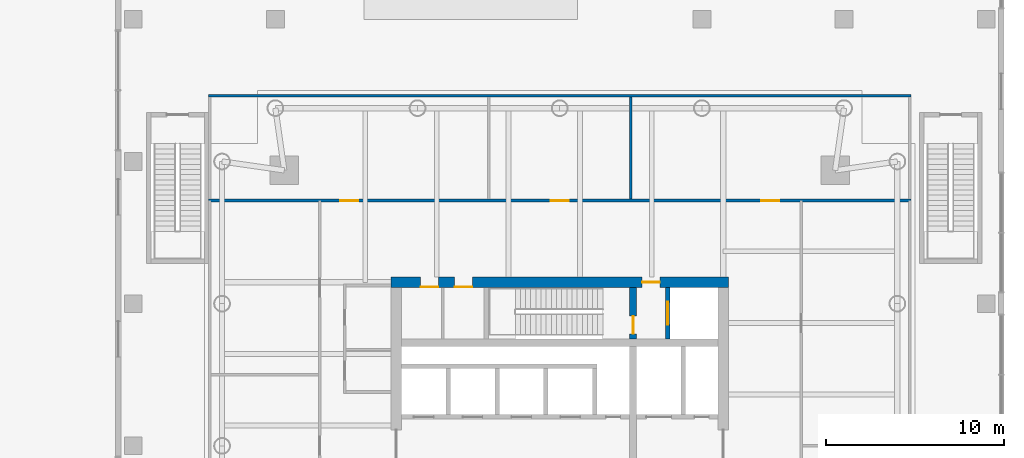
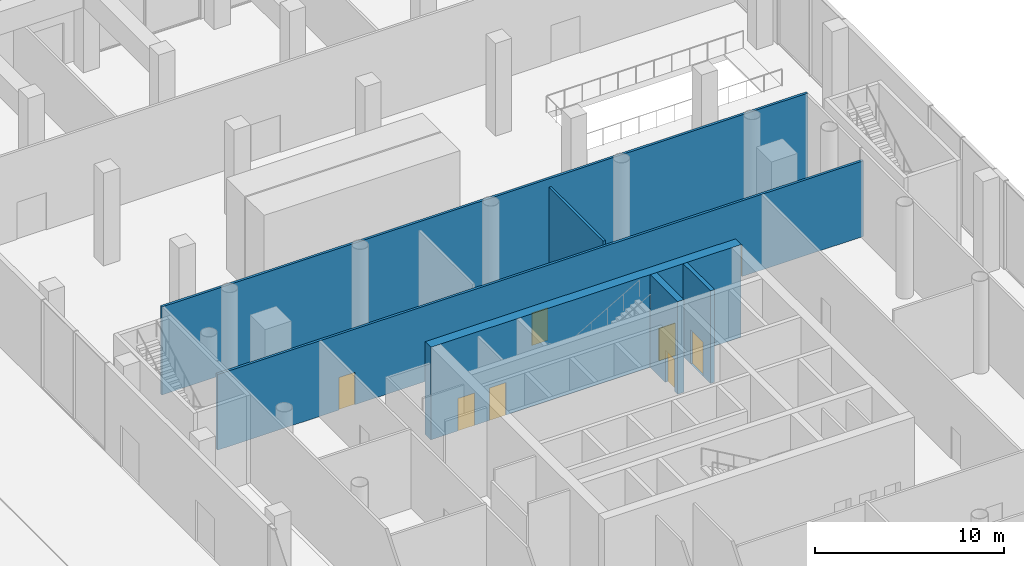
# One storey, part 31 of 39: 8 doors, 6 walls, 8 openings.
"""IFC4 building model written with IfcOpenShell, lengths in metres."""

from ifc_helpers import new_model, si_unit, direction, frame, frame_2d, origin, place, context, subcontext, project, spatial, rectangle, extrude, material, layer, layer_set, type_object, element, fill, save


model = new_model("IFC4")

# Units and contexts
model_context = context("Model", 3, precision=1e-05, world=origin(), true_north=direction((0.0, 1.0)))
body_context = subcontext(model_context, "Body", "Model", "MODEL_VIEW")
ifc_project = project(units=[si_unit("LENGTHUNIT", "METRE"), si_unit("AREAUNIT", "SQUARE_METRE"), si_unit("VOLUMEUNIT", "CUBIC_METRE"), si_unit("PLANEANGLEUNIT", "RADIAN"), si_unit("MASSUNIT", "GRAM", prefix="KILO")], contexts=[model_context])

# Site, building, storey
site_placement = place(None, origin())
site = spatial("IfcSite", under=ifc_project, at=site_placement, CompositionType="ELEMENT")
building_placement = place(site_placement, origin())
building = spatial("IfcBuilding", under=site, at=building_placement, Name="Ostroluk Exchange", CompositionType="ELEMENT")
storey_placement = place(building_placement, origin())
storey = spatial("IfcBuildingStorey", under=building, at=storey_placement, Name="L00", CompositionType="ELEMENT", Elevation=0.0)

# Wall, opening, door
ifc_material_1 = material(Name="Concrete C50/60", Category="concrete")
ifc_layer_1 = layer(ifc_material_1, 0.39990234375)
ifc_layer_set_1 = layer_set([ifc_layer_1], Name="Core cross wall 400 C50/60")
wall_type_1 = type_object("IfcWallType", Name="Core cross wall 400 C50/60", PredefinedType="SHEAR", material=ifc_layer_set_1)
wall_1_placement = place(storey_placement, frame((121.1298828125, 52.0, 0.0), z_axis=(0.0, 0.0, 1.0), x_axis=(0.0, 1.0, 0.0)))
wall_1 = element("IfcWall", 1, at=wall_1_placement, inside=storey, type_object=wall_type_1, Name="T2 core wall YE3", PredefinedType="SHEAR", context=body_context, shape_type="SweptSolid", body=[
    extrude(rectangle(XDim=2.89990234375, YDim=0.39990234375, at=frame_2d((1.449951171875, 0.0))), origin(), (0.0, 0.0, 1.0), 6.0),
])
opening_1_placement = place(wall_1_placement, frame((0.300048828125, 0.0, 0.0)))
opening_1 = element("IfcOpeningElement", 2, at=opening_1_placement, cuts=wall_1, Name="Opening FD60", PredefinedType="OPENING", context=body_context, shape_type="SweptSolid", body=[
    extrude(rectangle(XDim=1.0, YDim=2.10009765625, at=frame_2d((0.5, 1.050048828125))), frame((0.0, 0.2099609375, 0.0), z_axis=(0.0, -1.0, 0.0), x_axis=(1.0, 0.0, 0.0)), (0.0, 0.0, 1.0), 0.419921875),
])
ifc_material_2 = material(Name="Steel", Category="steel")
door_type_1 = type_object("IfcDoorType", Name="Fire door EI 60 1000 x 2100", OperationType="SINGLE_SWING_LEFT", PredefinedType="DOOR", material=ifc_material_2)
door_1_placement = place(opening_1_placement, origin())
door_1 = element("IfcDoor", 3, at=door_1_placement, inside=storey, type_object=door_type_1, Name="Stair T2-S2 door", OperationType="SINGLE_SWING_LEFT", OverallHeight=2.10009765625, OverallWidth=1.0, PredefinedType="DOOR", context=body_context, shape_type="SweptSolid", body=[
    extrude(rectangle(XDim=1.0, YDim=2.10009765625, at=frame_2d((0.5, 1.050048828125))), frame((0.0, 0.02490234375, 0.0), z_axis=(0.0, -1.0, 0.0), x_axis=(1.0, 0.0, 0.0)), (0.0, 0.0, 1.0), 0.050048828125),
])
fill(opening_1, door_1)

ifc_material_3 = material(Name="Concrete C40/50", Category="concrete")
ifc_layer_2 = layer(ifc_material_3, 0.25)
ifc_layer_set_2 = layer_set([ifc_layer_2], Name="Core shaft wall 250")
wall_type_2 = type_object("IfcWallType", Name="Core shaft wall 250", PredefinedType="SHEAR", material=ifc_layer_set_2)
wall_2_placement = place(storey_placement, frame((123.074951171875, 52.0, 0.0), z_axis=(0.0, 0.0, 1.0), x_axis=(0.0, 1.0, 0.0)))
wall_2 = element("IfcWall", 4, at=wall_2_placement, inside=storey, type_object=wall_type_2, Name="Firefighting lift shaft wall", PredefinedType="SHEAR", context=body_context, shape_type="SweptSolid", body=[
    extrude(rectangle(XDim=2.89990234375, YDim=0.25, at=frame_2d((1.449951171875, 0.0))), origin(), (0.0, 0.0, 1.0), 6.0),
])
opening_2_placement = place(wall_2_placement, frame((0.800048828125, 0.0, 0.0)))
opening_2 = element("IfcOpeningElement", 5, at=opening_2_placement, cuts=wall_2, Name="Opening LD2", PredefinedType="OPENING", context=body_context, shape_type="SweptSolid", body=[
    extrude(rectangle(XDim=1.300048828125, YDim=2.199951171875, at=frame_2d((0.64990234375, 1.10009765625))), frame((0.0, 0.135009765625, 0.0), z_axis=(0.0, -1.0, 0.0), x_axis=(1.0, 0.0, 0.0)), (0.0, 0.0, 1.0), 0.27001953125),
])
ifc_material_4 = material(Name="Stainless steel", Category="steel")
door_type_2 = type_object("IfcDoorType", Name="Lift landing door E 60 1300 x 2200", OperationType="DOUBLE_DOOR_SLIDING", PredefinedType="DOOR", material=ifc_material_4)
door_2_placement = place(opening_2_placement, origin())
door_2 = element("IfcDoor", 6, at=door_2_placement, inside=storey, type_object=door_type_2, Name="Lift HF2 landing door", OperationType="DOUBLE_DOOR_SLIDING", OverallHeight=2.199951171875, OverallWidth=1.300048828125, PredefinedType="DOOR", context=body_context, shape_type="SweptSolid", body=[
    extrude(rectangle(XDim=1.300048828125, YDim=2.199951171875, at=frame_2d((0.64990234375, 1.10009765625))), frame((0.0, 0.02490234375, 0.0), z_axis=(0.0, -1.0, 0.0), x_axis=(1.0, 0.0, 0.0)), (0.0, 0.0, 1.0), 0.050048828125),
])
fill(opening_2, door_2)

# Wall, openings, doors
ifc_material_5 = material(Name="Concrete C50/60", Category="concrete")
ifc_layer_3 = layer(ifc_material_5, 0.60009765625)
ifc_layer_set_3 = layer_set([ifc_layer_3], Name="Core wall 600 C50/60")
wall_type_3 = type_object("IfcWallType", Name="Core wall 600 C50/60", PredefinedType="SHEAR", material=ifc_layer_set_3)
wall_3_placement = place(storey_placement, frame((107.5, 55.199951171875, 0.0), z_axis=(0.0, 0.0, 1.0), x_axis=(1.0, 0.0, 0.0)))
wall_3 = element("IfcWall", 7, at=wall_3_placement, inside=storey, type_object=wall_type_3, Name="T2 core wall N", PredefinedType="SHEAR", context=body_context, shape_type="SweptSolid", body=[
    extrude(rectangle(XDim=19.0, YDim=0.60009765625, at=frame_2d((9.5, 0.0))), origin(), (0.0, 0.0, 1.0), 6.0),
])
opening_3_placement = place(wall_3_placement, frame((14.139892578125, 0.0, 0.0)))
opening_3 = element("IfcOpeningElement", 8, at=opening_3_placement, cuts=wall_3, Name="Opening FD60", PredefinedType="OPENING", context=body_context, shape_type="SweptSolid", body=[
    extrude(rectangle(XDim=1.0, YDim=2.10009765625, at=frame_2d((0.5, 1.050048828125))), frame((0.0, 0.31005859375, 0.0), z_axis=(0.0, -1.0, 0.0), x_axis=(1.0, 0.0, 0.0)), (0.0, 0.0, 1.0), 0.6201171875),
])
opening_4_placement = place(wall_3_placement, frame((1.675048828125, 0.0, 0.0)))
opening_4 = element("IfcOpeningElement", 9, at=opening_4_placement, cuts=wall_3, Name="Opening FD60", PredefinedType="OPENING", context=body_context, shape_type="SweptSolid", body=[
    extrude(rectangle(XDim=1.0, YDim=2.10009765625, at=frame_2d((0.5, 1.050048828125))), frame((0.0, 0.31005859375, 0.0), z_axis=(0.0, -1.0, 0.0), x_axis=(1.0, 0.0, 0.0)), (0.0, 0.0, 1.0), 0.6201171875),
])
opening_5_placement = place(wall_3_placement, frame((3.58740234375, 0.0, 0.0)))
opening_5 = element("IfcOpeningElement", 10, at=opening_5_placement, cuts=wall_3, Name="Opening FD60", PredefinedType="OPENING", context=body_context, shape_type="SweptSolid", body=[
    extrude(rectangle(XDim=1.0, YDim=2.10009765625, at=frame_2d((0.5, 1.050048828125))), frame((0.0, 0.31005859375, 0.0), z_axis=(0.0, -1.0, 0.0), x_axis=(1.0, 0.0, 0.0)), (0.0, 0.0, 1.0), 0.6201171875),
])
door_3_placement = place(opening_3_placement, origin())
door_3 = element("IfcDoor", 11, at=door_3_placement, inside=storey, type_object=door_type_1, Name="Firefighting lobby door", OperationType="SINGLE_SWING_RIGHT", OverallHeight=2.10009765625, OverallWidth=1.0, PredefinedType="DOOR", context=body_context, shape_type="SweptSolid", body=[
    extrude(rectangle(XDim=1.0, YDim=2.10009765625, at=frame_2d((0.5, 1.050048828125))), frame((0.0, 0.02490234375, 0.0), z_axis=(0.0, -1.0, 0.0), x_axis=(1.0, 0.0, 0.0)), (0.0, 0.0, 1.0), 0.050048828125),
])
fill(opening_3, door_3)
door_4_placement = place(opening_4_placement, origin())
door_4 = element("IfcDoor", 12, at=door_4_placement, inside=storey, type_object=door_type_1, Name="Store door", OperationType="SINGLE_SWING_LEFT", OverallHeight=2.10009765625, OverallWidth=1.0, PredefinedType="DOOR", context=body_context, shape_type="SweptSolid", body=[
    extrude(rectangle(XDim=1.0, YDim=2.10009765625, at=frame_2d((0.5, 1.050048828125))), frame((0.0, -0.23974609375, 0.0), z_axis=(0.0, -1.0, 0.0), x_axis=(1.0, 0.0, 0.0)), (0.0, 0.0, 1.0), 0.050048828125),
])
fill(opening_4, door_4)
door_5_placement = place(opening_5_placement, origin())
door_5 = element("IfcDoor", 13, at=door_5_placement, inside=storey, type_object=door_type_1, Name="Cleaner's store door", OperationType="SINGLE_SWING_LEFT", OverallHeight=2.10009765625, OverallWidth=1.0, PredefinedType="DOOR", context=body_context, shape_type="SweptSolid", body=[
    extrude(rectangle(XDim=1.0, YDim=2.10009765625, at=frame_2d((0.5, 1.050048828125))), frame((0.0, -0.23974609375, 0.0), z_axis=(0.0, -1.0, 0.0), x_axis=(1.0, 0.0, 0.0)), (0.0, 0.0, 1.0), 0.050048828125),
])
fill(opening_5, door_5)

ifc_material_6 = material(Name="Gypsum plasterboard partition", Category="gypsum")
ifc_layer_4 = layer(ifc_material_6, 0.14990234375)
ifc_layer_set_4 = layer_set([ifc_layer_4], Name="Plasterboard partition 150")
wall_type_4 = type_object("IfcWallType", Name="Plasterboard partition 150", PredefinedType="PARTITIONING", material=ifc_layer_set_4)
wall_4_placement = place(storey_placement, frame((97.22509765625, 59.800048828125, 0.0), z_axis=(0.0, 0.0, 1.0), x_axis=(1.0, 0.0, 0.0)))
wall_4 = element("IfcWall", 14, at=wall_4_placement, inside=storey, type_object=wall_type_4, Name="Partition", PredefinedType="PARTITIONING", context=body_context, shape_type="SweptSolid", body=[
    extrude(rectangle(XDim=39.5498046875, YDim=0.14990234375, at=frame_2d((19.77490234375, 0.0))), origin(), (0.0, 0.0, 1.0), 4.89990234375),
])
opening_6_placement = place(wall_4_placement, frame((7.425048828125, 0.0, 0.0)))
opening_6 = element("IfcOpeningElement", 15, at=opening_6_placement, cuts=wall_4, Name="Opening D-03", PredefinedType="OPENING", context=body_context, shape_type="SweptSolid", body=[
    extrude(rectangle(XDim=1.0, YDim=2.10009765625, at=frame_2d((0.5, 1.050048828125))), frame((0.0, 0.0849609375, 0.0), z_axis=(0.0, -1.0, 0.0), x_axis=(1.0, 0.0, 0.0)), (0.0, 0.0, 1.0), 0.169921875),
])
opening_7_placement = place(wall_4_placement, frame((19.27490234375, 0.0, 0.0)))
opening_7 = element("IfcOpeningElement", 16, at=opening_7_placement, cuts=wall_4, Name="Opening D-03", PredefinedType="OPENING", context=body_context, shape_type="SweptSolid", body=[
    extrude(rectangle(XDim=1.0, YDim=2.10009765625, at=frame_2d((0.5, 1.050048828125))), frame((0.0, 0.0849609375, 0.0), z_axis=(0.0, -1.0, 0.0), x_axis=(1.0, 0.0, 0.0)), (0.0, 0.0, 1.0), 0.169921875),
])
opening_8_placement = place(wall_4_placement, frame((31.125, 0.0, 0.0)))
opening_8 = element("IfcOpeningElement", 17, at=opening_8_placement, cuts=wall_4, Name="Opening D-03", PredefinedType="OPENING", context=body_context, shape_type="SweptSolid", body=[
    extrude(rectangle(XDim=1.0, YDim=2.10009765625, at=frame_2d((0.5, 1.050048828125))), frame((0.0, 0.0849609375, 0.0), z_axis=(0.0, -1.0, 0.0), x_axis=(1.0, 0.0, 0.0)), (0.0, 0.0, 1.0), 0.169921875),
])
ifc_material_7 = material(Name="Timber", Category="wood")
door_type_3 = type_object("IfcDoorType", Name="Internal door 1000 x 2100", OperationType="SINGLE_SWING_LEFT", PredefinedType="DOOR", material=ifc_material_7)
door_6_placement = place(opening_6_placement, origin())
door_6 = element("IfcDoor", 18, at=door_6_placement, inside=storey, type_object=door_type_3, Name="Hotel back office door", OperationType="SINGLE_SWING_LEFT", OverallHeight=2.10009765625, OverallWidth=1.0, PredefinedType="DOOR", context=body_context, shape_type="SweptSolid", body=[
    extrude(rectangle(XDim=1.0, YDim=2.10009765625, at=frame_2d((0.5, 1.050048828125))), frame((0.0, 0.02490234375, 0.0), z_axis=(0.0, -1.0, 0.0), x_axis=(1.0, 0.0, 0.0)), (0.0, 0.0, 1.0), 0.050048828125),
])
fill(opening_6, door_6)
door_7_placement = place(opening_7_placement, origin())
door_7 = element("IfcDoor", 19, at=door_7_placement, inside=storey, type_object=door_type_3, Name="Luggage store door", OperationType="SINGLE_SWING_LEFT", OverallHeight=2.10009765625, OverallWidth=1.0, PredefinedType="DOOR", context=body_context, shape_type="SweptSolid", body=[
    extrude(rectangle(XDim=1.0, YDim=2.10009765625, at=frame_2d((0.5, 1.050048828125))), frame((0.0, 0.02490234375, 0.0), z_axis=(0.0, -1.0, 0.0), x_axis=(1.0, 0.0, 0.0)), (0.0, 0.0, 1.0), 0.050048828125),
])
fill(opening_7, door_7)
door_8_placement = place(opening_8_placement, origin())
door_8 = element("IfcDoor", 20, at=door_8_placement, inside=storey, type_object=door_type_3, Name="Hotel back office door", OperationType="SINGLE_SWING_RIGHT", OverallHeight=2.10009765625, OverallWidth=1.0, PredefinedType="DOOR", context=body_context, shape_type="SweptSolid", body=[
    extrude(rectangle(XDim=1.0, YDim=2.10009765625, at=frame_2d((0.5, 1.050048828125))), frame((0.0, 0.02490234375, 0.0), z_axis=(0.0, -1.0, 0.0), x_axis=(1.0, 0.0, 0.0)), (0.0, 0.0, 1.0), 0.050048828125),
])
fill(opening_8, door_8)

# Walls
wall_5_placement = place(storey_placement, frame((97.22509765625, 65.699951171875, 0.0), z_axis=(0.0, 0.0, 1.0), x_axis=(1.0, 0.0, 0.0)))
element("IfcWall", 21, at=wall_5_placement, inside=storey, type_object=wall_type_4, Name="Partition", PredefinedType="PARTITIONING", context=body_context, shape_type="SweptSolid", body=[
    extrude(rectangle(XDim=39.5498046875, YDim=0.14990234375, at=frame_2d((19.77490234375, 0.0))), origin(), (0.0, 0.0, 1.0), 5.699951171875),
])
wall_6_placement = place(storey_placement, frame((121.0, 59.875, 0.0), z_axis=(0.0, 0.0, 1.0), x_axis=(0.0, 1.0, 0.0)))
element("IfcWall", 22, at=wall_6_placement, inside=storey, type_object=wall_type_4, Name="Partition", PredefinedType="PARTITIONING", context=body_context, shape_type="SweptSolid", body=[
    extrude(rectangle(XDim=5.75, YDim=0.14990234375, at=frame_2d((2.875, 0.0))), origin(), (0.0, 0.0, 1.0), 5.14990234375),
])

save(model, "model.ifc")
